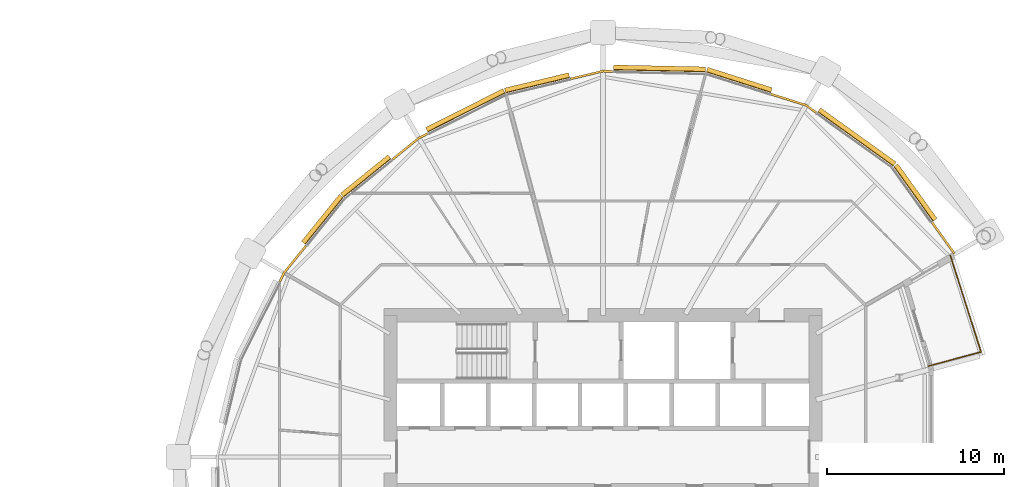
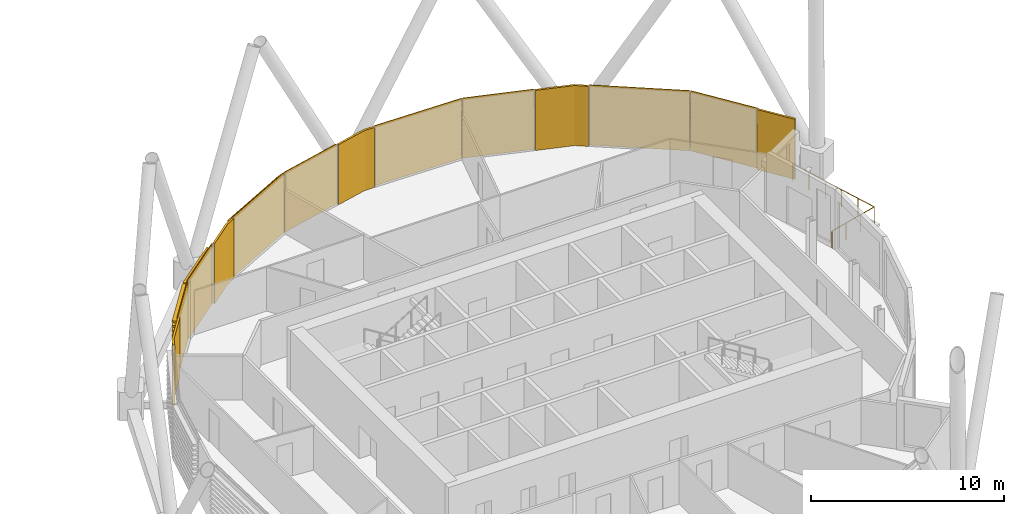
# One storey, part 39 of 39: 13 coverings, 1 railing.
"""IFC4 building model written with IfcOpenShell, lengths in metres."""

from ifc_helpers import new_model, si_unit, direction, frame, origin, origin_2d, place, context, subcontext, project, spatial, polyline, circle, outline, extrude, material, layer, layer_set, material_profile, profile_set, type_object, element, save


model = new_model("IFC4")

# Units and contexts
model_context = context("Model", 3, precision=1e-05, world=origin(), true_north=direction((0.0, 1.0)))
body_context = subcontext(model_context, "Body", "Model", "MODEL_VIEW")
ifc_project = project(units=[si_unit("LENGTHUNIT", "METRE"), si_unit("AREAUNIT", "SQUARE_METRE"), si_unit("VOLUMEUNIT", "CUBIC_METRE"), si_unit("PLANEANGLEUNIT", "RADIAN"), si_unit("MASSUNIT", "GRAM", prefix="KILO")], contexts=[model_context])

# Site, building, storey
site_placement = place(None, origin())
site = spatial("IfcSite", under=ifc_project, at=site_placement, CompositionType="ELEMENT")
building_placement = place(site_placement, origin())
building = spatial("IfcBuilding", under=site, at=building_placement, Name="Rimbun Link Towers", CompositionType="ELEMENT")
storey_placement = place(building_placement, frame((0.0, 0.0, 115.800048828125)))
storey = spatial("IfcBuildingStorey", under=building, at=storey_placement, Name="L28", CompositionType="ELEMENT", Elevation=115.800048828125)

# Railing
ifc_material_1 = material(Name="Stainless steel grade 316", Category="steel")
railing_type = type_object("IfcRailingType", Name="GUARD stainless rail and posts", PredefinedType="GUARDRAIL", material=ifc_material_1)
railing_placement = place(storey_placement, frame((50.118896484375, 5.12890625, 0.0)))
element("IfcRailing", 1, at=railing_placement, inside=storey, type_object=railing_type, Name="GUARD", PredefinedType="GUARDRAIL", context=body_context, shape_type="SweptSolid", body=[
    extrude(circle(Radius=0.02392578125, at=origin_2d()), frame((0.0, 0.0, 1.076171875), z_axis=(0.965915610376, 0.258857168401, 0.0), x_axis=(-0.258857168401, 0.965915610376, 0.0)), (0.0, 0.0, 1.0), 3.090576171875),
    extrude(circle(Radius=0.02392578125, at=origin_2d()), frame((2.9853515625, 0.800048828125, 1.076171875), z_axis=(-0.303080283135, 0.952965026627, 0.0), x_axis=(-0.952965026627, -0.303080283135, 0.0)), (0.0, 0.0, 1.0), 5.7177734375),
    extrude(circle(Radius=0.02099609375, at=origin_2d()), origin(), (0.0, 0.0, 1.0), 1.052001953125),
    extrude(circle(Radius=0.02099609375, at=origin_2d()), frame((0.9951171875, 0.2666015625, 0.0)), (0.0, 0.0, 1.0), 1.052001953125),
    extrude(circle(Radius=0.02099609375, at=origin_2d()), frame((1.990234375, 0.533447265625, 0.0)), (0.0, 0.0, 1.0), 1.052001953125),
    extrude(circle(Radius=0.02099609375, at=origin_2d()), frame((2.9853515625, 0.800048828125, 0.0)), (0.0, 0.0, 1.0), 1.052001953125),
    extrude(circle(Radius=0.02099609375, at=origin_2d()), frame((2.638671875, 1.889892578125, 0.0)), (0.0, 0.0, 1.0), 1.052001953125),
    extrude(circle(Radius=0.02099609375, at=origin_2d()), frame((2.292236328125, 2.9794921875, 0.0)), (0.0, 0.0, 1.0), 1.052001953125),
    extrude(circle(Radius=0.02099609375, at=origin_2d()), frame((1.945556640625, 4.0693359375, 0.0)), (0.0, 0.0, 1.0), 1.052001953125),
    extrude(circle(Radius=0.02099609375, at=origin_2d()), frame((1.59912109375, 5.158935546875, 0.0)), (0.0, 0.0, 1.0), 1.052001953125),
    extrude(circle(Radius=0.02099609375, at=origin_2d()), frame((1.25244140625, 6.248779296875, 0.0)), (0.0, 0.0, 1.0), 1.052001953125),
])

# Coverings
ifc_material_2 = material(Name="Terracotta", Category="masonry")
ifc_layer = layer(ifc_material_2, 0.1201171875)
ifc_layer_set = layer_set([ifc_layer], Name="LINK PIER terracotta cladding 120")
covering_type_1 = type_object("IfcCoveringType", Name="LINK PIER terracotta cladding 120", PredefinedType="CLADDING", material=ifc_layer_set)
covering_1_placement = place(storey_placement, origin())
element("IfcCovering", 2, at=covering_1_placement, inside=storey, type_object=covering_type_1, Name="LINK PIER cladding", PredefinedType="CLADDING", context=body_context, shape_type="SweptSolid", body=[
    extrude(outline(polyline([(41.2158203125, 20.439208984375), (43.1884765625, 19.81201171875), (43.7734375, 19.39208984375), (43.84326171875, 19.48974609375), (43.242919921875, 19.92041015625), (41.252197265625, 20.5537109375), (41.2158203125, 20.439208984375)])), origin(), (0.0, 0.0, 1.0), 3.800048828125),
])
covering_2_placement = place(storey_placement, origin())
element("IfcCovering", 3, at=covering_2_placement, inside=storey, type_object=covering_type_1, Name="LINK PIER cladding", PredefinedType="CLADDING", context=body_context, shape_type="SweptSolid", body=[
    extrude(outline(polyline([(29.931396484375, 21.29541015625), (31.75, 21.730224609375), (32.31982421875, 21.71826171875), (32.322509765625, 21.83837890625), (31.737060546875, 21.8505859375), (29.9033203125, 21.412109375), (29.931396484375, 21.29541015625)])), origin(), (0.0, 0.0, 1.0), 3.800048828125),
])
covering_3_placement = place(storey_placement, origin())
element("IfcCovering", 4, at=covering_3_placement, inside=storey, type_object=covering_type_1, Name="LINK PIER cladding", PredefinedType="CLADDING", context=body_context, shape_type="SweptSolid", body=[
    extrude(outline(polyline([(19.887451171875, 16.753662109375), (21.3798828125, 17.961669921875), (21.88916015625, 18.217529296875), (21.835205078125, 18.32470703125), (21.314453125, 18.063232421875), (19.81201171875, 16.846923828125), (19.887451171875, 16.753662109375)])), origin(), (0.0, 0.0, 1.0), 3.800048828125),
])
covering_4_placement = place(storey_placement, origin())
element("IfcCovering", 5, at=covering_4_placement, inside=storey, type_object=covering_type_1, Name="LINK PIER cladding", PredefinedType="CLADDING", context=body_context, shape_type="SweptSolid", body=[
    extrude(outline(polyline([(13.532470703125, 9.86083984375), (13.788330078125, 10.3701171875), (15.02783203125, 11.9013671875), (14.9345703125, 11.97705078125), (13.686767578125, 10.435546875), (13.42529296875, 9.914794921875), (13.532470703125, 9.86083984375)])), origin(), (0.0, 0.0, 1.0), 3.800048828125),
])
covering_5_placement = place(storey_placement, origin())
element("IfcCovering", 6, at=covering_5_placement, inside=storey, type_object=covering_type_1, Name="LINK PIER cladding", PredefinedType="CLADDING", context=body_context, shape_type="SweptSolid", body=[
    extrude(outline(polyline([(50.296875, 13.201416015625), (51.54443359375, 11.462890625), (51.641845703125, 11.53271484375), (50.394287109375, 13.271484375), (50.296875, 13.201416015625)])), origin(), (0.0, 0.0, 1.0), 3.800048828125),
])
ifc_material_3 = material(Name="Terracotta", Category="masonry")
ifc_material_profile = material_profile(ifc_material_3, outline(polyline([(0.123046875, 0.0), (0.1630859375, 0.0), (0.1630859375, 0.10009765625), (0.423095703125, 0.10009765625), (0.423095703125, 0.219970703125), (0.1630859375, 0.219970703125), (0.1630859375, 0.39990234375), (0.423095703125, 0.39990234375), (0.423095703125, 0.52001953125), (0.1630859375, 0.52001953125), (0.1630859375, 0.699951171875), (0.423095703125, 0.699951171875), (0.423095703125, 0.820068359375), (0.1630859375, 0.820068359375), (0.1630859375, 1.0), (0.423095703125, 1.0), (0.423095703125, 1.1201171875), (0.1630859375, 1.1201171875), (0.1630859375, 1.300048828125), (0.423095703125, 1.300048828125), (0.423095703125, 1.419921875), (0.1630859375, 1.419921875), (0.1630859375, 1.60009765625), (0.423095703125, 1.60009765625), (0.423095703125, 1.719970703125), (0.1630859375, 1.719970703125), (0.1630859375, 1.89990234375), (0.423095703125, 1.89990234375), (0.423095703125, 2.02001953125), (0.1630859375, 2.02001953125), (0.1630859375, 2.199951171875), (0.423095703125, 2.199951171875), (0.423095703125, 2.320068359375), (0.1630859375, 2.320068359375), (0.1630859375, 2.5), (0.423095703125, 2.5), (0.423095703125, 2.6201171875), (0.1630859375, 2.6201171875), (0.1630859375, 2.800048828125), (0.423095703125, 2.800048828125), (0.423095703125, 2.919921875), (0.1630859375, 2.919921875), (0.1630859375, 3.10009765625), (0.423095703125, 3.10009765625), (0.423095703125, 3.219970703125), (0.1630859375, 3.219970703125), (0.1630859375, 3.39990234375), (0.423095703125, 3.39990234375), (0.423095703125, 3.52001953125), (0.1630859375, 3.52001953125), (0.1630859375, 3.800048828125), (0.123046875, 3.800048828125), (0.123046875, 0.0)])), Name="BAGUETTE 120X300")
ifc_profile_set = profile_set([ifc_material_profile], Name="Terracotta")
covering_type_2 = type_object("IfcCoveringType", Name="TERRACOTTA BAGUETTE 120X300 H3800", PredefinedType="CLADDING", material=ifc_profile_set)
covering_6_placement = place(storey_placement, frame((43.7978515625, 19.374755859375, 0.0), z_axis=(0.812471696344, -0.583000636912, 0.0), x_axis=(0.583000636912, 0.812471696344, 0.0)))
element("IfcCovering", 7, at=covering_6_placement, inside=storey, type_object=covering_type_2, Name="TERRACOTTA BAGUETTE", PredefinedType="CLADDING", context=body_context, shape_type="SweptSolid", body=[
    extrude(outline(polyline([(0.123046875, 0.0), (0.1630859375, 0.0), (0.1630859375, 0.10009765625), (0.423095703125, 0.10009765625), (0.423095703125, 0.219970703125), (0.1630859375, 0.219970703125), (0.1630859375, 0.39990234375), (0.423095703125, 0.39990234375), (0.423095703125, 0.52001953125), (0.1630859375, 0.52001953125), (0.1630859375, 0.699951171875), (0.423095703125, 0.699951171875), (0.423095703125, 0.820068359375), (0.1630859375, 0.820068359375), (0.1630859375, 1.0), (0.423095703125, 1.0), (0.423095703125, 1.1201171875), (0.1630859375, 1.1201171875), (0.1630859375, 1.300048828125), (0.423095703125, 1.300048828125), (0.423095703125, 1.419921875), (0.1630859375, 1.419921875), (0.1630859375, 1.60009765625), (0.423095703125, 1.60009765625), (0.423095703125, 1.719970703125), (0.1630859375, 1.719970703125), (0.1630859375, 1.89990234375), (0.423095703125, 1.89990234375), (0.423095703125, 2.02001953125), (0.1630859375, 2.02001953125), (0.1630859375, 2.199951171875), (0.423095703125, 2.199951171875), (0.423095703125, 2.320068359375), (0.1630859375, 2.320068359375), (0.1630859375, 2.5), (0.423095703125, 2.5), (0.423095703125, 2.6201171875), (0.1630859375, 2.6201171875), (0.1630859375, 2.800048828125), (0.423095703125, 2.800048828125), (0.423095703125, 2.919921875), (0.1630859375, 2.919921875), (0.1630859375, 3.10009765625), (0.423095703125, 3.10009765625), (0.423095703125, 3.219970703125), (0.1630859375, 3.219970703125), (0.1630859375, 3.39990234375), (0.423095703125, 3.39990234375), (0.423095703125, 3.52001953125), (0.1630859375, 3.52001953125), (0.1630859375, 3.800048828125), (0.123046875, 3.800048828125), (0.123046875, 0.0)])), origin(), (0.0, 0.0, 1.0), 5.25048828125),
])
covering_7_placement = place(storey_placement, frame((37.539794921875, 21.6083984375, 0.0), z_axis=(0.952955932815, -0.303108875016, 0.0), x_axis=(0.303108875016, 0.952955932815, 0.0)))
element("IfcCovering", 8, at=covering_7_placement, inside=storey, type_object=covering_type_2, Name="TERRACOTTA BAGUETTE", PredefinedType="CLADDING", context=body_context, shape_type="SweptSolid", body=[
    extrude(outline(polyline([(0.123046875, 0.0), (0.1630859375, 0.0), (0.1630859375, 0.10009765625), (0.423095703125, 0.10009765625), (0.423095703125, 0.219970703125), (0.1630859375, 0.219970703125), (0.1630859375, 0.39990234375), (0.423095703125, 0.39990234375), (0.423095703125, 0.52001953125), (0.1630859375, 0.52001953125), (0.1630859375, 0.699951171875), (0.423095703125, 0.699951171875), (0.423095703125, 0.820068359375), (0.1630859375, 0.820068359375), (0.1630859375, 1.0), (0.423095703125, 1.0), (0.423095703125, 1.1201171875), (0.1630859375, 1.1201171875), (0.1630859375, 1.300048828125), (0.423095703125, 1.300048828125), (0.423095703125, 1.419921875), (0.1630859375, 1.419921875), (0.1630859375, 1.60009765625), (0.423095703125, 1.60009765625), (0.423095703125, 1.719970703125), (0.1630859375, 1.719970703125), (0.1630859375, 1.89990234375), (0.423095703125, 1.89990234375), (0.423095703125, 2.02001953125), (0.1630859375, 2.02001953125), (0.1630859375, 2.199951171875), (0.423095703125, 2.199951171875), (0.423095703125, 2.320068359375), (0.1630859375, 2.320068359375), (0.1630859375, 2.5), (0.423095703125, 2.5), (0.423095703125, 2.6201171875), (0.1630859375, 2.6201171875), (0.1630859375, 2.800048828125), (0.423095703125, 2.800048828125), (0.423095703125, 2.919921875), (0.1630859375, 2.919921875), (0.1630859375, 3.10009765625), (0.423095703125, 3.10009765625), (0.423095703125, 3.219970703125), (0.1630859375, 3.219970703125), (0.1630859375, 3.39990234375), (0.423095703125, 3.39990234375), (0.423095703125, 3.52001953125), (0.1630859375, 3.52001953125), (0.1630859375, 3.800048828125), (0.123046875, 3.800048828125), (0.123046875, 0.0)])), origin(), (0.0, 0.0, 1.0), 3.82763671875),
])
covering_8_placement = place(storey_placement, frame((32.349853515625, 21.7177734375, 0.0), z_axis=(0.999778008373, -0.021069740698, 0.0), x_axis=(0.021069740698, 0.999778008373, 0.0)))
element("IfcCovering", 9, at=covering_8_placement, inside=storey, type_object=covering_type_2, Name="TERRACOTTA BAGUETTE", PredefinedType="CLADDING", context=body_context, shape_type="SweptSolid", body=[
    extrude(outline(polyline([(0.123046875, 0.0), (0.1630859375, 0.0), (0.1630859375, 0.10009765625), (0.423095703125, 0.10009765625), (0.423095703125, 0.219970703125), (0.1630859375, 0.219970703125), (0.1630859375, 0.39990234375), (0.423095703125, 0.39990234375), (0.423095703125, 0.52001953125), (0.1630859375, 0.52001953125), (0.1630859375, 0.699951171875), (0.423095703125, 0.699951171875), (0.423095703125, 0.820068359375), (0.1630859375, 0.820068359375), (0.1630859375, 1.0), (0.423095703125, 1.0), (0.423095703125, 1.1201171875), (0.1630859375, 1.1201171875), (0.1630859375, 1.300048828125), (0.423095703125, 1.300048828125), (0.423095703125, 1.419921875), (0.1630859375, 1.419921875), (0.1630859375, 1.60009765625), (0.423095703125, 1.60009765625), (0.423095703125, 1.719970703125), (0.1630859375, 1.719970703125), (0.1630859375, 1.89990234375), (0.423095703125, 1.89990234375), (0.423095703125, 2.02001953125), (0.1630859375, 2.02001953125), (0.1630859375, 2.199951171875), (0.423095703125, 2.199951171875), (0.423095703125, 2.320068359375), (0.1630859375, 2.320068359375), (0.1630859375, 2.5), (0.423095703125, 2.5), (0.423095703125, 2.6201171875), (0.1630859375, 2.6201171875), (0.1630859375, 2.800048828125), (0.423095703125, 2.800048828125), (0.423095703125, 2.919921875), (0.1630859375, 2.919921875), (0.1630859375, 3.10009765625), (0.423095703125, 3.10009765625), (0.423095703125, 3.219970703125), (0.1630859375, 3.219970703125), (0.1630859375, 3.39990234375), (0.423095703125, 3.39990234375), (0.423095703125, 3.52001953125), (0.1630859375, 3.52001953125), (0.1630859375, 3.800048828125), (0.123046875, 3.800048828125), (0.123046875, 0.0)])), origin(), (0.0, 0.0, 1.0), 5.191162109375),
])
covering_9_placement = place(storey_placement, frame((26.278076171875, 20.421630859375, 0.0), z_axis=(0.972573736539, 0.232594769921, 0.0), x_axis=(-0.232594769921, 0.972573736539, 0.0)))
element("IfcCovering", 10, at=covering_9_placement, inside=storey, type_object=covering_type_2, Name="TERRACOTTA BAGUETTE", PredefinedType="CLADDING", context=body_context, shape_type="SweptSolid", body=[
    extrude(outline(polyline([(0.123046875, 0.0), (0.1630859375, 0.0), (0.1630859375, 0.10009765625), (0.423095703125, 0.10009765625), (0.423095703125, 0.219970703125), (0.1630859375, 0.219970703125), (0.1630859375, 0.39990234375), (0.423095703125, 0.39990234375), (0.423095703125, 0.52001953125), (0.1630859375, 0.52001953125), (0.1630859375, 0.699951171875), (0.423095703125, 0.699951171875), (0.423095703125, 0.820068359375), (0.1630859375, 0.820068359375), (0.1630859375, 1.0), (0.423095703125, 1.0), (0.423095703125, 1.1201171875), (0.1630859375, 1.1201171875), (0.1630859375, 1.300048828125), (0.423095703125, 1.300048828125), (0.423095703125, 1.419921875), (0.1630859375, 1.419921875), (0.1630859375, 1.60009765625), (0.423095703125, 1.60009765625), (0.423095703125, 1.719970703125), (0.1630859375, 1.719970703125), (0.1630859375, 1.89990234375), (0.423095703125, 1.89990234375), (0.423095703125, 2.02001953125), (0.1630859375, 2.02001953125), (0.1630859375, 2.199951171875), (0.423095703125, 2.199951171875), (0.423095703125, 2.320068359375), (0.1630859375, 2.320068359375), (0.1630859375, 2.5), (0.423095703125, 2.5), (0.423095703125, 2.6201171875), (0.1630859375, 2.6201171875), (0.1630859375, 2.800048828125), (0.423095703125, 2.800048828125), (0.423095703125, 2.919921875), (0.1630859375, 2.919921875), (0.1630859375, 3.10009765625), (0.423095703125, 3.10009765625), (0.423095703125, 3.219970703125), (0.1630859375, 3.219970703125), (0.1630859375, 3.39990234375), (0.423095703125, 3.39990234375), (0.423095703125, 3.52001953125), (0.1630859375, 3.52001953125), (0.1630859375, 3.800048828125), (0.123046875, 3.800048828125), (0.123046875, 0.0)])), origin(), (0.0, 0.0, 1.0), 3.726318359375),
])
covering_10_placement = place(storey_placement, frame((21.916015625, 18.23095703125, 0.0), z_axis=(0.893635542068, 0.448793402305, 0.0), x_axis=(-0.448793402305, 0.893635542068, 0.0)))
element("IfcCovering", 11, at=covering_10_placement, inside=storey, type_object=covering_type_2, Name="TERRACOTTA BAGUETTE", PredefinedType="CLADDING", context=body_context, shape_type="SweptSolid", body=[
    extrude(outline(polyline([(0.123046875, 0.0), (0.1630859375, 0.0), (0.1630859375, 0.10009765625), (0.423095703125, 0.10009765625), (0.423095703125, 0.219970703125), (0.1630859375, 0.219970703125), (0.1630859375, 0.39990234375), (0.423095703125, 0.39990234375), (0.423095703125, 0.52001953125), (0.1630859375, 0.52001953125), (0.1630859375, 0.699951171875), (0.423095703125, 0.699951171875), (0.423095703125, 0.820068359375), (0.1630859375, 0.820068359375), (0.1630859375, 1.0), (0.423095703125, 1.0), (0.423095703125, 1.1201171875), (0.1630859375, 1.1201171875), (0.1630859375, 1.300048828125), (0.423095703125, 1.300048828125), (0.423095703125, 1.419921875), (0.1630859375, 1.419921875), (0.1630859375, 1.60009765625), (0.423095703125, 1.60009765625), (0.423095703125, 1.719970703125), (0.1630859375, 1.719970703125), (0.1630859375, 1.89990234375), (0.423095703125, 1.89990234375), (0.423095703125, 2.02001953125), (0.1630859375, 2.02001953125), (0.1630859375, 2.199951171875), (0.423095703125, 2.199951171875), (0.423095703125, 2.320068359375), (0.1630859375, 2.320068359375), (0.1630859375, 2.5), (0.423095703125, 2.5), (0.423095703125, 2.6201171875), (0.1630859375, 2.6201171875), (0.1630859375, 2.800048828125), (0.423095703125, 2.800048828125), (0.423095703125, 2.919921875), (0.1630859375, 2.919921875), (0.1630859375, 3.10009765625), (0.423095703125, 3.10009765625), (0.423095703125, 3.219970703125), (0.1630859375, 3.219970703125), (0.1630859375, 3.39990234375), (0.423095703125, 3.39990234375), (0.423095703125, 3.52001953125), (0.1630859375, 3.52001953125), (0.1630859375, 3.800048828125), (0.123046875, 3.800048828125), (0.123046875, 0.0)])), origin(), (0.0, 0.0, 1.0), 4.88134765625),
])
covering_11_placement = place(storey_placement, frame((17.184326171875, 14.565673828125, 0.0), z_axis=(0.777256414258, 0.629183968721, 0.0), x_axis=(-0.629183968721, 0.777256414258, 0.0)))
element("IfcCovering", 12, at=covering_11_placement, inside=storey, type_object=covering_type_2, Name="TERRACOTTA BAGUETTE", PredefinedType="CLADDING", context=body_context, shape_type="SweptSolid", body=[
    extrude(outline(polyline([(0.123046875, 0.0), (0.1630859375, 0.0), (0.1630859375, 0.10009765625), (0.423095703125, 0.10009765625), (0.423095703125, 0.219970703125), (0.1630859375, 0.219970703125), (0.1630859375, 0.39990234375), (0.423095703125, 0.39990234375), (0.423095703125, 0.52001953125), (0.1630859375, 0.52001953125), (0.1630859375, 0.699951171875), (0.423095703125, 0.699951171875), (0.423095703125, 0.820068359375), (0.1630859375, 0.820068359375), (0.1630859375, 1.0), (0.423095703125, 1.0), (0.423095703125, 1.1201171875), (0.1630859375, 1.1201171875), (0.1630859375, 1.300048828125), (0.423095703125, 1.300048828125), (0.423095703125, 1.419921875), (0.1630859375, 1.419921875), (0.1630859375, 1.60009765625), (0.423095703125, 1.60009765625), (0.423095703125, 1.719970703125), (0.1630859375, 1.719970703125), (0.1630859375, 1.89990234375), (0.423095703125, 1.89990234375), (0.423095703125, 2.02001953125), (0.1630859375, 2.02001953125), (0.1630859375, 2.199951171875), (0.423095703125, 2.199951171875), (0.423095703125, 2.320068359375), (0.1630859375, 2.320068359375), (0.1630859375, 2.5), (0.423095703125, 2.5), (0.423095703125, 2.6201171875), (0.1630859375, 2.6201171875), (0.1630859375, 2.800048828125), (0.423095703125, 2.800048828125), (0.423095703125, 2.919921875), (0.1630859375, 2.919921875), (0.1630859375, 3.10009765625), (0.423095703125, 3.10009765625), (0.423095703125, 3.219970703125), (0.1630859375, 3.219970703125), (0.1630859375, 3.39990234375), (0.423095703125, 3.39990234375), (0.423095703125, 3.52001953125), (0.1630859375, 3.52001953125), (0.1630859375, 3.800048828125), (0.123046875, 3.800048828125), (0.123046875, 0.0)])), origin(), (0.0, 0.0, 1.0), 3.447509765625),
])
covering_12_placement = place(storey_placement, frame((15.046630859375, 11.9248046875, 0.0), z_axis=(0.629171356107, 0.777266623916, 0.0), x_axis=(-0.777266623916, 0.629171356107, 0.0)))
element("IfcCovering", 13, at=covering_12_placement, inside=storey, type_object=covering_type_2, Name="TERRACOTTA BAGUETTE", PredefinedType="CLADDING", context=body_context, shape_type="SweptSolid", body=[
    extrude(outline(polyline([(0.123046875, 0.0), (0.1630859375, 0.0), (0.1630859375, 0.10009765625), (0.423095703125, 0.10009765625), (0.423095703125, 0.219970703125), (0.1630859375, 0.219970703125), (0.1630859375, 0.39990234375), (0.423095703125, 0.39990234375), (0.423095703125, 0.52001953125), (0.1630859375, 0.52001953125), (0.1630859375, 0.699951171875), (0.423095703125, 0.699951171875), (0.423095703125, 0.820068359375), (0.1630859375, 0.820068359375), (0.1630859375, 1.0), (0.423095703125, 1.0), (0.423095703125, 1.1201171875), (0.1630859375, 1.1201171875), (0.1630859375, 1.300048828125), (0.423095703125, 1.300048828125), (0.423095703125, 1.419921875), (0.1630859375, 1.419921875), (0.1630859375, 1.60009765625), (0.423095703125, 1.60009765625), (0.423095703125, 1.719970703125), (0.1630859375, 1.719970703125), (0.1630859375, 1.89990234375), (0.423095703125, 1.89990234375), (0.423095703125, 2.02001953125), (0.1630859375, 2.02001953125), (0.1630859375, 2.199951171875), (0.423095703125, 2.199951171875), (0.423095703125, 2.320068359375), (0.1630859375, 2.320068359375), (0.1630859375, 2.5), (0.423095703125, 2.5), (0.423095703125, 2.6201171875), (0.1630859375, 2.6201171875), (0.1630859375, 2.800048828125), (0.423095703125, 2.800048828125), (0.423095703125, 2.919921875), (0.1630859375, 2.919921875), (0.1630859375, 3.10009765625), (0.423095703125, 3.10009765625), (0.423095703125, 3.219970703125), (0.1630859375, 3.219970703125), (0.1630859375, 3.39990234375), (0.423095703125, 3.39990234375), (0.423095703125, 3.52001953125), (0.1630859375, 3.52001953125), (0.1630859375, 3.800048828125), (0.123046875, 3.800048828125), (0.123046875, 0.0)])), origin(), (0.0, 0.0, 1.0), 3.397705078125),
])
covering_13_placement = place(storey_placement, frame((48.063720703125, 16.313720703125, 0.0), z_axis=(0.582968725467, -0.812494593907, 0.0), x_axis=(0.812494593907, 0.582968725467, 0.0)))
element("IfcCovering", 14, at=covering_13_placement, inside=storey, type_object=covering_type_2, Name="TERRACOTTA BAGUETTE", PredefinedType="CLADDING", context=body_context, shape_type="SweptSolid", body=[
    extrude(outline(polyline([(0.123046875, 0.0), (0.1630859375, 0.0), (0.1630859375, 0.10009765625), (0.423095703125, 0.10009765625), (0.423095703125, 0.219970703125), (0.1630859375, 0.219970703125), (0.1630859375, 0.39990234375), (0.423095703125, 0.39990234375), (0.423095703125, 0.52001953125), (0.1630859375, 0.52001953125), (0.1630859375, 0.699951171875), (0.423095703125, 0.699951171875), (0.423095703125, 0.820068359375), (0.1630859375, 0.820068359375), (0.1630859375, 1.0), (0.423095703125, 1.0), (0.423095703125, 1.1201171875), (0.1630859375, 1.1201171875), (0.1630859375, 1.300048828125), (0.423095703125, 1.300048828125), (0.423095703125, 1.419921875), (0.1630859375, 1.419921875), (0.1630859375, 1.60009765625), (0.423095703125, 1.60009765625), (0.423095703125, 1.719970703125), (0.1630859375, 1.719970703125), (0.1630859375, 1.89990234375), (0.423095703125, 1.89990234375), (0.423095703125, 2.02001953125), (0.1630859375, 2.02001953125), (0.1630859375, 2.199951171875), (0.423095703125, 2.199951171875), (0.423095703125, 2.320068359375), (0.1630859375, 2.320068359375), (0.1630859375, 2.5), (0.423095703125, 2.5), (0.423095703125, 2.6201171875), (0.1630859375, 2.6201171875), (0.1630859375, 2.800048828125), (0.423095703125, 2.800048828125), (0.423095703125, 2.919921875), (0.1630859375, 2.919921875), (0.1630859375, 3.10009765625), (0.423095703125, 3.10009765625), (0.423095703125, 3.219970703125), (0.1630859375, 3.219970703125), (0.1630859375, 3.39990234375), (0.423095703125, 3.39990234375), (0.423095703125, 3.52001953125), (0.1630859375, 3.52001953125), (0.1630859375, 3.800048828125), (0.123046875, 3.800048828125), (0.123046875, 0.0)])), origin(), (0.0, 0.0, 1.0), 3.800537109375),
])

save(model, "model.ifc")
